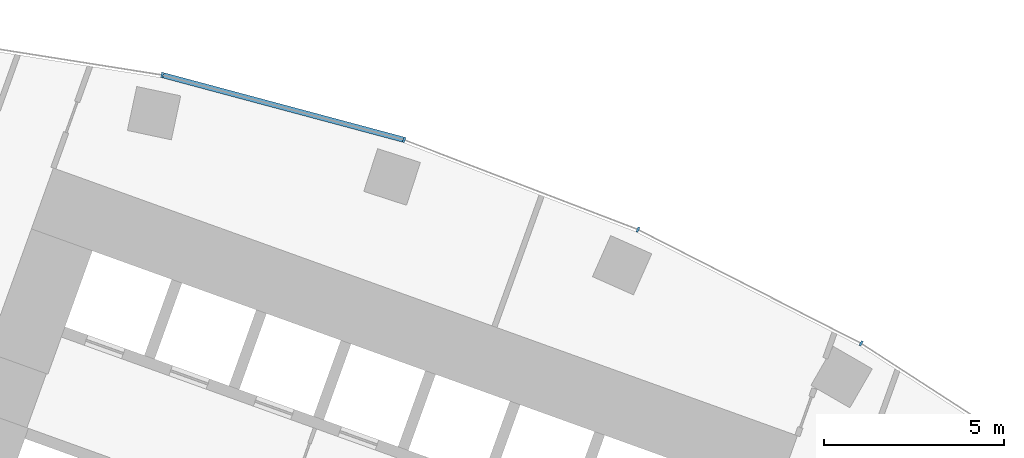
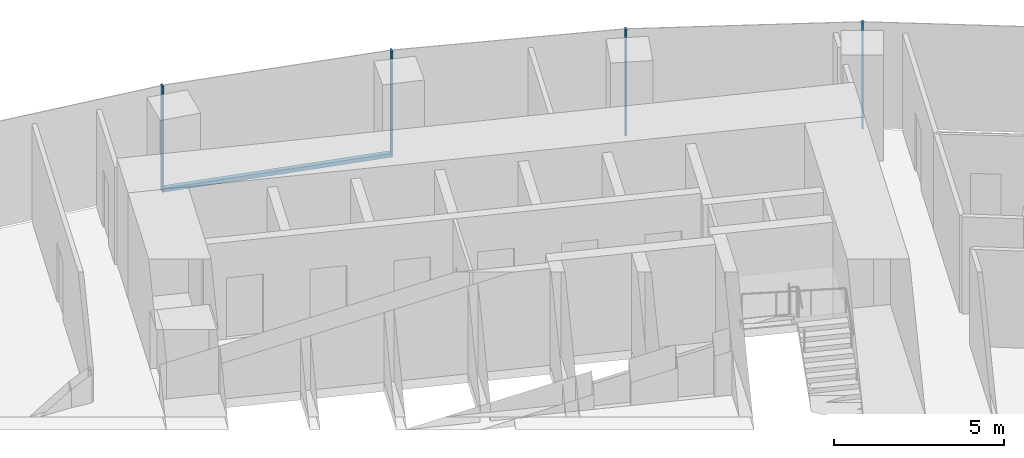
# One storey, part 11 of 21: 5 members, 1 element without a shape of its own.
"""IFC4 building model written with IfcOpenShell, lengths in metres."""

import ifcopenshell
import ifcopenshell.guid

model = None  # the IFC model being written
_history = None  # IfcOwnerHistory: only IFC2X3 demands one
_inside = {}  # id of a spatial element -> (the spatial element, [elements in it])
_under = {}  # id of a project, library or spatial element -> (it, [spatial elements below it])
_declared = {}  # id of a project -> (the project, [libraries it declares])
_typed = {}  # id of a type object -> (the type object, [elements of that type])
_made_of = {}  # id of a material, layer set ... -> (it, [elements and type objects made of it])


def new_model(schema):
    """Start an empty IFC model of exactly this schema.

    Asked for "IFC4X3", IfcOpenShell would pick the latest addendum, in which some entities
    have other attributes; the version numbers below select the first issue.
    IFC2X3 requires an IfcOwnerHistory on every rooted entity: one is made here for all.
    """
    global model, _history
    if schema == "IFC4X3":
        model = ifcopenshell.file(schema_version=(4, 3, 0, 0))
    else:
        model = ifcopenshell.file(schema=schema)
    _inside.clear()
    _under.clear()
    _declared.clear()
    _typed.clear()
    _made_of.clear()
    _history = None
    if model.schema == "IFC2X3":
        org = make("IfcOrganization", Name="unknown")
        user = make(
            "IfcPersonAndOrganization",
            ThePerson=make("IfcPerson", FamilyName="unknown"),
            TheOrganization=org,
        )
        app = make(
            "IfcApplication",
            ApplicationDeveloper=org,
            Version="unknown",
            ApplicationFullName="unknown",
            ApplicationIdentifier="unknown",
        )
        _history = make(
            "IfcOwnerHistory",
            OwningUser=user,
            OwningApplication=app,
            ChangeAction="ADDED",
            CreationDate=0,
        )
    return model


def make(cls, **values):
    """One entity of the class cls with the attributes given. An attribute that is None is left unset."""
    return model.create_entity(
        cls, **{name: value for name, value in values.items() if value is not None}
    )


def rooted(cls, **values):
    """An entity with a GlobalId (a new one), such as an element, a storey or a relation."""
    return make(cls, GlobalId=ifcopenshell.guid.new(), OwnerHistory=_history, **values)


def si_unit(unit_type, name, prefix=None):
    """IfcSIUnit, for example si_unit("LENGTHUNIT", "METRE", prefix="MILLI")."""
    return make("IfcSIUnit", UnitType=unit_type, Prefix=prefix, Name=name)


def assignment(units):
    """IfcUnitAssignment: the units of a project."""
    return None if units is None else make("IfcUnitAssignment", Units=units)


def point(xyz):
    """IfcCartesianPoint."""
    return None if xyz is None else make("IfcCartesianPoint", Coordinates=xyz)


def direction(xyz):
    """IfcDirection."""
    return None if xyz is None else make("IfcDirection", DirectionRatios=xyz)


def frame(location, z_axis=None, x_axis=None):
    """IfcAxis2Placement3D, a coordinate frame: its origin and axes. An axis left out is left unset."""
    return make(
        "IfcAxis2Placement3D",
        Location=point(location),
        Axis=direction(z_axis),
        RefDirection=direction(x_axis),
    )


def frame_2d(location, x_axis=None):
    """IfcAxis2Placement2D, a coordinate frame in the plane: its origin and x axis."""
    return make(
        "IfcAxis2Placement2D", Location=point(location), RefDirection=direction(x_axis)
    )


def origin():
    """The frame at (0, 0, 0) with its axes left unset."""
    return frame((0.0, 0.0, 0.0))


def origin_2d():
    """The frame at (0, 0) in the plane with its x axis left unset."""
    return frame_2d((0.0, 0.0))


def place(relative_to, where):
    """IfcLocalPlacement: puts the frame where relative to a parent placement (None: the world)."""
    return make(
        "IfcLocalPlacement", PlacementRelTo=relative_to, RelativePlacement=where
    )


def context(
    kind, dimensions, precision=None, world=None, true_north=None, identifier=None
):
    """IfcGeometricRepresentationContext, for example the 3D "Model" context."""
    return make(
        "IfcGeometricRepresentationContext",
        ContextIdentifier=identifier,
        ContextType=kind,
        CoordinateSpaceDimension=dimensions,
        Precision=precision,
        WorldCoordinateSystem=world,
        TrueNorth=true_north,
    )


def subcontext(parent, identifier, kind, view, scale=None):
    """IfcGeometricRepresentationSubContext, for example "Body" below "Model"."""
    return make(
        "IfcGeometricRepresentationSubContext",
        ContextIdentifier=identifier,
        ContextType=kind,
        ParentContext=parent,
        TargetScale=scale,
        TargetView=view,
    )


def project(units=None, contexts=None):
    """IfcProject with its units and contexts."""
    return rooted(
        "IfcProject",
        Name="project",
        RepresentationContexts=contexts,
        UnitsInContext=assignment(units),
    )


def spatial(cls, under=None, at=None, **own):
    """A site, building, storey or space (cls), placed at a placement, below another one or the project."""
    s = rooted(cls, ObjectPlacement=at, **own)
    if under is not None:
        _under.setdefault(under.id(), (under, []))[1].append(s)
    return s


def profile(cls, at=None, kind="AREA", **sizes):
    """A parametric profile (cls). Its sizes go by their IFC names, for example OverallWidth=200.0."""
    return make(cls, ProfileType=kind, Position=at, **sizes)


def rectangle(**sizes):
    """IfcRectangleProfileDef."""
    return profile("IfcRectangleProfileDef", **sizes)


def extrude(swept, where, along, depth):
    """IfcExtrudedAreaSolid: the profile swept, set in the frame where, extruded along a direction by depth."""
    return make(
        "IfcExtrudedAreaSolid",
        SweptArea=swept,
        Position=where,
        ExtrudedDirection=direction(along),
        Depth=depth,
    )


def shape(context_of_items, identifier, shape_type, items):
    """IfcShapeRepresentation: the items that make up one representation, for example the "Body"."""
    return make(
        "IfcShapeRepresentation",
        ContextOfItems=context_of_items,
        RepresentationIdentifier=identifier,
        RepresentationType=shape_type,
        Items=items,
    )


def material(Name=None, Category=None):
    """IfcMaterial."""
    return make("IfcMaterial", Name=Name, Category=Category)


def layer(
    of_material, thickness, ventilated=None, Name=None, Category=None, Priority=None
):
    """IfcMaterialLayer: one layer of a wall or slab, of a material (None: an air gap)."""
    return make(
        "IfcMaterialLayer",
        Material=of_material,
        LayerThickness=thickness,
        IsVentilated=ventilated,
        Name=Name,
        Category=Category,
        Priority=Priority,
    )


def layer_set(layers, Name=None):
    """IfcMaterialLayerSet."""
    return make("IfcMaterialLayerSet", MaterialLayers=layers, LayerSetName=Name)


def material_profile(
    of_material, cross_section, Name=None, Category=None, Priority=None
):
    """IfcMaterialProfile: a cross section and its material."""
    return make(
        "IfcMaterialProfile",
        Name=Name,
        Material=of_material,
        Profile=cross_section,
        Priority=Priority,
        Category=Category,
    )


def profile_set(profiles, Name=None, composite=None):
    """IfcMaterialProfileSet."""
    return make(
        "IfcMaterialProfileSet",
        Name=Name,
        MaterialProfiles=profiles,
        CompositeProfile=composite,
    )


def made_of(thing, what):
    """Note that an element or type object is made of a material, layer set ...; save() writes the relation."""
    if what is not None:
        _made_of.setdefault(what.id(), (what, []))[1].append(thing)
    return thing


def type_object(cls, material=None, **own):
    """A type object (cls), such as IfcWallType, which elements share."""
    return made_of(rooted(cls, **own), material)


def element(
    cls,
    number,
    at=None,
    inside=None,
    cuts=None,
    type_object=None,
    material=None,
    context=None,
    identifier="Body",
    shape_type=None,
    held_by="IfcProductDefinitionShape",
    body=None,
    shapes=None,
    **own,
):
    """One element of the class cls, such as IfcWall. Its Tag is "e" and its number.

    at: its placement. inside: the storey or other place that contains it. cuts: it is an
    opening in that element (IfcRelVoidsElement). A single representation is given by context,
    identifier, shape_type and body (its items); several are given by shapes. held_by: the class
    of the entity that holds the representations. save() writes the other relations.
    """
    e = rooted(cls, Tag="e%d" % number, ObjectPlacement=at, **own)
    if body is not None:
        shapes = [shape(context, identifier, shape_type, body)]
    if shapes is not None:
        e.Representation = make(held_by, Representations=shapes)
    if inside is not None:
        _inside.setdefault(inside.id(), (inside, []))[1].append(e)
    if cuts is not None:
        rooted(
            "IfcRelVoidsElement", RelatingBuildingElement=cuts, RelatedOpeningElement=e
        )
    if type_object is not None:
        _typed.setdefault(type_object.id(), (type_object, []))[1].append(e)
    return made_of(e, material)


def aggregate(whole, parts):
    """IfcRelAggregates: a whole, such as a stair, and the parts it consists of."""
    return rooted("IfcRelAggregates", RelatingObject=whole, RelatedObjects=parts)


def save(model, path):
    """Write the relations noted so far, then the file.

    IfcRelAggregates (storeys below a building ...), IfcRelContainedInSpatialStructure (elements
    in a storey), IfcRelDefinesByType, IfcRelAssociatesMaterial and IfcRelDeclares: one each for
    every whole, place, type object, material and project.
    """
    for whole, parts in _under.values():
        aggregate(whole, parts)
    for where, things in _inside.values():
        rooted(
            "IfcRelContainedInSpatialStructure",
            RelatedElements=things,
            RelatingStructure=where,
        )
    for kind, things in _typed.values():
        rooted("IfcRelDefinesByType", RelatedObjects=things, RelatingType=kind)
    for what, things in _made_of.values():
        rooted("IfcRelAssociatesMaterial", RelatedObjects=things, RelatingMaterial=what)
    for by, libraries in _declared.values():
        rooted("IfcRelDeclares", RelatingContext=by, RelatedDefinitions=libraries)
    model.write(path)


model = new_model("IFC4")

# Units and contexts
model_context = context("Model", 3, precision=1e-05, world=origin(), true_north=direction((0.0, 1.0)))
body_context = subcontext(model_context, "Body", "Model", "MODEL_VIEW")
ifc_project = project(units=[si_unit("LENGTHUNIT", "METRE"), si_unit("AREAUNIT", "SQUARE_METRE"), si_unit("VOLUMEUNIT", "CUBIC_METRE"), si_unit("PLANEANGLEUNIT", "RADIAN"), si_unit("MASSUNIT", "GRAM", prefix="KILO")], contexts=[model_context])

# Site, building, storey
site_placement = place(None, origin())
site = spatial("IfcSite", under=ifc_project, at=site_placement, CompositionType="ELEMENT")
building_placement = place(site_placement, origin())
building = spatial("IfcBuilding", under=site, at=building_placement, Name="Stone Belt Terrace Tower", CompositionType="ELEMENT")
storey_placement = place(building_placement, frame((0.0, 0.0, 37.60009765625)))
storey = spatial("IfcBuildingStorey", under=building, at=storey_placement, Name="L08", CompositionType="ELEMENT", Elevation=37.60009765625)

# Curtain wall, members
ifc_material = material(Name="Aluminium 6063-T6 anodised frame", Category="aluminium")
ifc_layer = layer(ifc_material, 0.14990234375)
ifc_layer_set = layer_set([ifc_layer], Name="CW-A unitised convex-face curtain wall")
curtain_wall_type = type_object("IfcCurtainWallType", Name="CW-A unitised convex-face curtain wall", PredefinedType="NOTDEFINED", material=ifc_layer_set)
curtain_wall_placement = place(storey_placement, origin())
curtain_wall = element("IfcCurtainWall", 1, at=curtain_wall_placement, inside=storey, type_object=curtain_wall_type, Name="CW-A convex face L08", PredefinedType="NOTDEFINED")
ifc_material_profile_1 = material_profile(ifc_material, rectangle(XDim=0.14990234375, YDim=0.06005859375, at=origin_2d()), Name="Aluminium 6063-T6 60x150")
ifc_profile_set_1 = profile_set([ifc_material_profile_1], Name="Aluminium 6063-T6 anodised frame")
member_type_1 = type_object("IfcMemberType", Name="CW-A mullion 60 x 150", PredefinedType="MULLION", material=ifc_profile_set_1)
member_1_placement = place(storey_placement, frame((33.28759765625, 57.65576171875, 0.0), z_axis=(0.0, 0.0, 1.0), x_axis=(-0.5, -0.866025403784, 0.0)))
member_1 = element("IfcMember", 2, at=member_1_placement, type_object=member_type_1, Name="CW-A mullion 5", PredefinedType="MULLION", context=body_context, shape_type="SweptSolid", body=[
    extrude(rectangle(XDim=0.14990234375, YDim=0.06005859375, at=origin_2d()), origin(), (0.0, 0.0, 1.0), 3.7998046875),
])
member_2_placement = place(storey_placement, frame((27.07861328125, 60.8193359375, 0.0), z_axis=(0.0, 0.0, 1.0), x_axis=(-0.406736643076, -0.913545457643, 0.0)))
member_2 = element("IfcMember", 3, at=member_2_placement, type_object=member_type_1, Name="CW-A mullion 6", PredefinedType="MULLION", context=body_context, shape_type="SweptSolid", body=[
    extrude(rectangle(XDim=0.14990234375, YDim=0.06005859375, at=origin_2d()), origin(), (0.0, 0.0, 1.0), 3.7998046875),
])
member_3_placement = place(storey_placement, frame((20.57275390625, 63.316650390625, 0.0), z_axis=(0.0, 0.0, 1.0), x_axis=(-0.309016994375, -0.951056516295, 0.0)))
member_3 = element("IfcMember", 4, at=member_3_placement, type_object=member_type_1, Name="CW-A mullion 7", PredefinedType="MULLION", context=body_context, shape_type="SweptSolid", body=[
    extrude(rectangle(XDim=0.14990234375, YDim=0.06005859375, at=origin_2d()), origin(), (0.0, 0.0, 1.0), 3.7998046875),
])
member_4_placement = place(storey_placement, frame((13.841796875, 65.120361328125, 0.0), z_axis=(0.0, 0.0, 1.0), x_axis=(-0.207911690818, -0.978147600734, 0.0)))
member_4 = element("IfcMember", 5, at=member_4_placement, type_object=member_type_1, Name="CW-A mullion 8", PredefinedType="MULLION", context=body_context, shape_type="SweptSolid", body=[
    extrude(rectangle(XDim=0.14990234375, YDim=0.06005859375, at=origin_2d()), origin(), (0.0, 0.0, 1.0), 3.7998046875),
])
ifc_material_profile_2 = material_profile(ifc_material, rectangle(XDim=0.14990234375, YDim=0.139892578125, at=origin_2d()), Name="Aluminium 6063-T6 150x140")
ifc_profile_set_2 = profile_set([ifc_material_profile_2], Name="Aluminium 6063-T6 anodised frame")
member_type_2 = type_object("IfcMemberType", Name="CW-A transom 140 x 150", PredefinedType="USERDEFINED", material=ifc_profile_set_2)
member_5_placement = place(storey_placement, frame((20.5400390625, 63.325439453125, 0.06982421875), z_axis=(-0.965921835863, 0.258833937117, 0.0), x_axis=(-0.258833937117, -0.965921835863, 0.0)))
member_5 = element("IfcMember", 6, at=member_5_placement, type_object=member_type_2, Name="CW-A transom 7.1", ObjectType="TRANSOM", PredefinedType="USERDEFINED", context=body_context, shape_type="SweptSolid", body=[
    extrude(rectangle(XDim=0.14990234375, YDim=0.139892578125, at=origin_2d()), origin(), (0.0, 0.0, 1.0), 6.900634765625),
])
aggregate(curtain_wall, [member_1, member_2, member_3, member_4, member_5])

save(model, "model.ifc")
